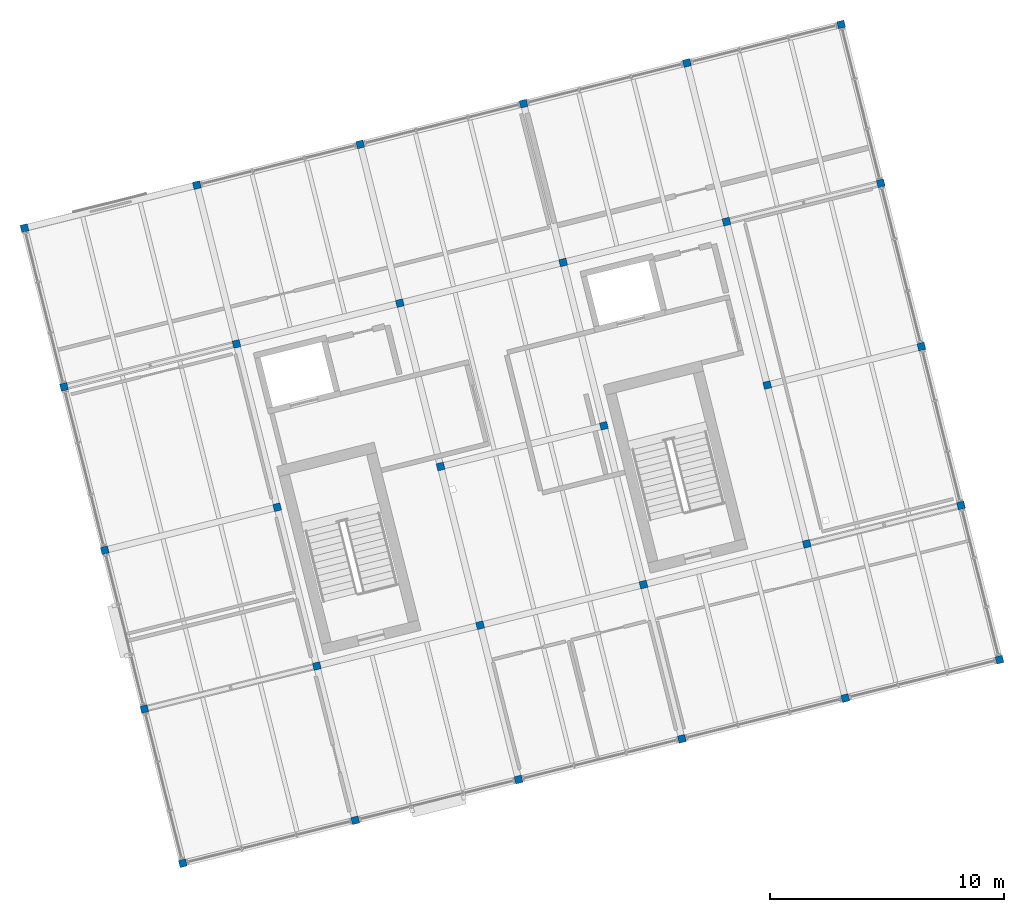
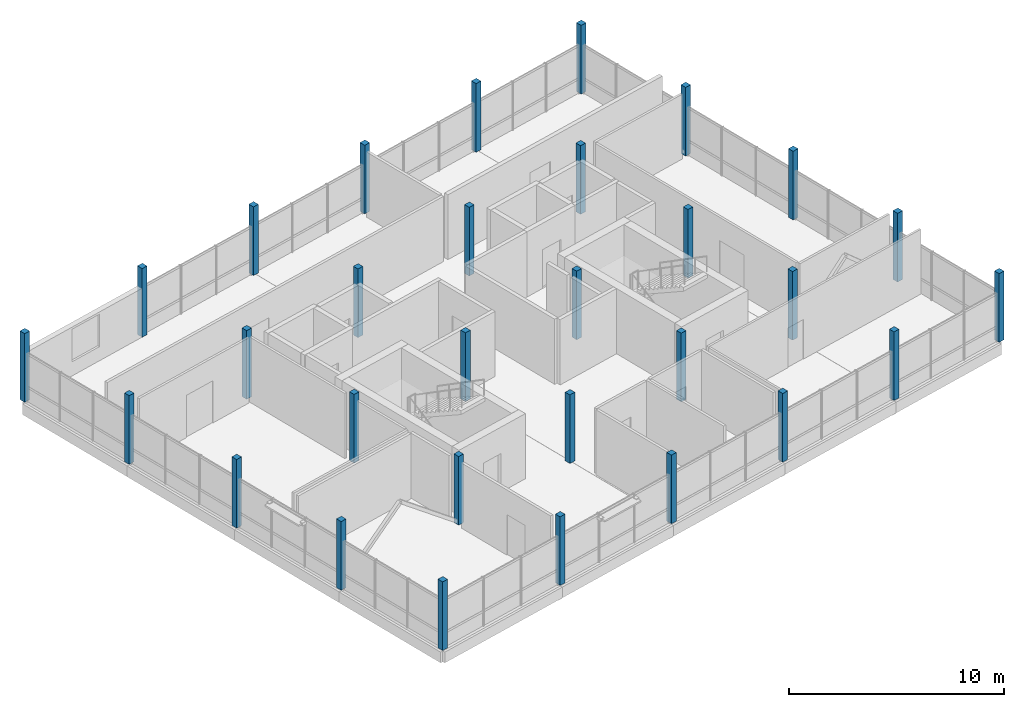
# One storey, part 1 of 25: 30 columns.
"""IFC4 building model written with IfcOpenShell, lengths in metres."""

from ifc_helpers import new_model, si_unit, direction, frame, origin, origin_2d, place, context, subcontext, project, spatial, rectangle, extrude, material, material_profile, profile_set, type_object, element, save


model = new_model("IFC4")

# Units and contexts
model_context = context("Model", 3, precision=1e-05, world=origin(), true_north=direction((0.0, 1.0)))
body_context = subcontext(model_context, "Body", "Model", "MODEL_VIEW")
ifc_project = project(units=[si_unit("LENGTHUNIT", "METRE"), si_unit("AREAUNIT", "SQUARE_METRE"), si_unit("VOLUMEUNIT", "CUBIC_METRE"), si_unit("PLANEANGLEUNIT", "RADIAN"), si_unit("MASSUNIT", "GRAM", prefix="KILO")], contexts=[model_context])

# Site, building, storey
site_placement = place(None, origin())
site = spatial("IfcSite", under=ifc_project, at=site_placement, CompositionType="ELEMENT")
building_placement = place(site_placement, origin())
building = spatial("IfcBuilding", under=site, at=building_placement, Name="Meriwether Solvik Hall", CompositionType="ELEMENT")
storey_placement = place(building_placement, frame((0.0, 0.0, 53.39990234375)))
storey = spatial("IfcBuildingStorey", under=building, at=storey_placement, Name="L13", CompositionType="ELEMENT", Elevation=53.39990234375)

# Columns
ifc_material = material(Name="Glulam Douglas-Fir L2 GL28c", Category="wood")
ifc_material_profile = material_profile(ifc_material, rectangle(XDim=0.31494140625, YDim=0.31494140625, at=origin_2d()), Name="GLC-315X315")
ifc_profile_set = profile_set([ifc_material_profile], Name="Glulam Douglas-Fir L2 GL28c")
column_type = type_object("IfcColumnType", Name="COL-GL-315X315", PredefinedType="COLUMN", material=ifc_profile_set)
for number, where, z_axis, x_axis, name in (
    (1, (68.60009765625, 41.199951171875, 0.0), (0.0, 0.0, 1.0), (0.970295726276, 0.2419218956, 0.0), "Tower Column T1/TA (L13)"),
    (2, (66.954833984375, 47.798095703125, 0.0), (0.0, 0.0, 1.0), (0.970295726276, 0.2419218956, 0.0), "Tower Column T1/TB (L13)"),
    (3, (65.261474609375, 54.590087890625, 0.0), (0.0, 0.0, 1.0), (0.970295726276, 0.2419218956, 0.0), "Tower Column T1/TC (L13)"),
    (4, (63.51953125, 61.576171875, 0.0), (0.0, 0.0, 1.0), (0.970295726276, 0.2419218956, 0.0), "Tower Column T1/TD (L13)"),
    (5, (61.826171875, 68.3681640625, 0.0), (0.0, 0.0, 1.0), (0.970295726276, 0.2419218956, 0.0), "Tower Column T1/TE (L13)"),
    (6, (75.974365234375, 43.03857421875, 0.0), (0.0, 0.0, 1.0), (0.970295726276, 0.2419218956, 0.0), "Tower Column T2/TA (L13)"),
    (7, (74.3291015625, 49.63671875, 0.0), (0.0, 0.0, 1.0), (0.970295726276, 0.2419218956, 0.0), "Tower Column T2/TB (L13)"),
    (8, (72.6357421875, 56.4287109375, 0.0), (0.0, 0.0, 1.0), (0.970295726276, 0.2419218956, 0.0), "Tower Column T2/TC (L13)"),
    (9, (70.893798828125, 63.414794921875, 0.0), (0.0, 0.0, 1.0), (0.970295726276, 0.2419218956, 0.0), "Tower Column T2/TD (L13)"),
    (10, (69.200439453125, 70.206787109375, 0.0), (0.0, 0.0, 1.0), (0.970295726276, 0.2419218956, 0.0), "Tower Column T2/TE (L13)"),
    (11, (82.96044921875, 44.780517578125, 0.0), (0.0, 0.0, 1.0), (0.970295726276, 0.2419218956, 0.0), "Tower Column T3/TA (L13)"),
    (12, (81.3154296875, 51.37841796875, 0.0), (0.0, 0.0, 1.0), (0.970295726276, 0.2419218956, 0.0), "Tower Column T3/TB (L13)"),
    (13, (79.621826171875, 58.17041015625, 0.0), (0.0, 0.0, 1.0), (0.970295726276, 0.2419218956, 0.0), "Tower Column T3/TC (L13)"),
    (14, (77.880126953125, 65.15673828125, 0.0), (0.0, 0.0, 1.0), (0.970295726276, 0.2419218956, 0.0), "Tower Column T3/TD (L13)"),
    (15, (76.1865234375, 71.94873046875, 0.0), (0.0, 0.0, 1.0), (0.970295726276, 0.2419218956, 0.0), "Tower Column T3/TE (L13)"),
    (16, (89.946533203125, 46.522216796875, 0.0), (0.0, 0.0, 1.0), (0.970295726276, 0.2419218956, 0.0), "Tower Column T4/TA (L13)"),
    (17, (88.301513671875, 53.120361328125, 0.0), (0.0, 0.0, 1.0), (0.970295726276, 0.2419218956, 0.0), "Tower Column T4/TB (L13)"),
    (18, (86.60791015625, 59.912353515625, 0.0), (0.0, 0.0, 1.0), (0.970295726276, 0.2419218956, 0.0), "Tower Column T4/TC (L13)"),
    (19, (84.8662109375, 66.8984375, 0.0), (0.0, 0.0, 1.0), (0.970295726276, 0.2419218956, 0.0), "Tower Column T4/TD (L13)"),
    (20, (83.172607421875, 73.690673828125, 0.0), (0.0, 0.0, 1.0), (0.970295726276, 0.2419218956, 0.0), "Tower Column T4/TE (L13)"),
    (21, (96.9326171875, 48.26416015625, 0.0), (0.0, 0.0, 1.0), (0.970295726276, 0.2419218956, 0.0), "Tower Column T5/TA (L13)"),
    (22, (95.28759765625, 54.862060546875, 0.0), (0.0, 0.0, 1.0), (0.970295726276, 0.2419218956, 0.0), "Tower Column T5/TB (L13)"),
    (23, (93.593994140625, 61.654296875, 0.0), (0.0, 0.0, 1.0), (0.970295726276, 0.2419218956, 0.0), "Tower Column T5/TC (L13)"),
    (24, (91.852294921875, 68.640380859375, 0.0), (0.0, 0.0, 1.0), (0.970295726276, 0.2419218956, 0.0), "Tower Column T5/TD (L13)"),
    (25, (90.158935546875, 75.432373046875, 0.0), (0.0, 0.0, 1.0), (0.970295726276, 0.2419218956, 0.0), "Tower Column T5/TE (L13)"),
    (26, (103.53076171875, 49.9091796875, 0.0), (0.0, 0.0, 1.0), (0.970295726276, 0.2419218956, 0.0), "Tower Column T6/TA (L13)"),
    (27, (101.885498046875, 56.507080078125, 0.0), (0.0, 0.0, 1.0), (0.970295726276, 0.2419218956, 0.0), "Tower Column T6/TB (L13)"),
    (28, (100.192138671875, 63.29931640625, 0.0), (0.0, 0.0, 1.0), (0.970295726276, 0.2419218956, 0.0), "Tower Column T6/TC (L13)"),
    (29, (98.4501953125, 70.285400390625, 0.0), (0.0, 0.0, 1.0), (0.970295726276, 0.2419218956, 0.0), "Tower Column T6/TD (L13)"),
    (30, (96.7568359375, 77.077392578125, 0.0), (0.0, 0.0, 1.0), (0.970295726276, 0.2419218956, 0.0), "Tower Column T6/TE (L13)"),
):
    element("IfcColumn", number, at=place(storey_placement, frame(where, z_axis=z_axis, x_axis=x_axis)), inside=storey, type_object=column_type, Name=name, PredefinedType="COLUMN", context=body_context, shape_type="SweptSolid", body=[
        extrude(rectangle(XDim=0.31494140625, YDim=0.31494140625, at=origin_2d()), origin(), (0.0, 0.0, 1.0), 3.900146484375),
    ])

save(model, "model.ifc")
